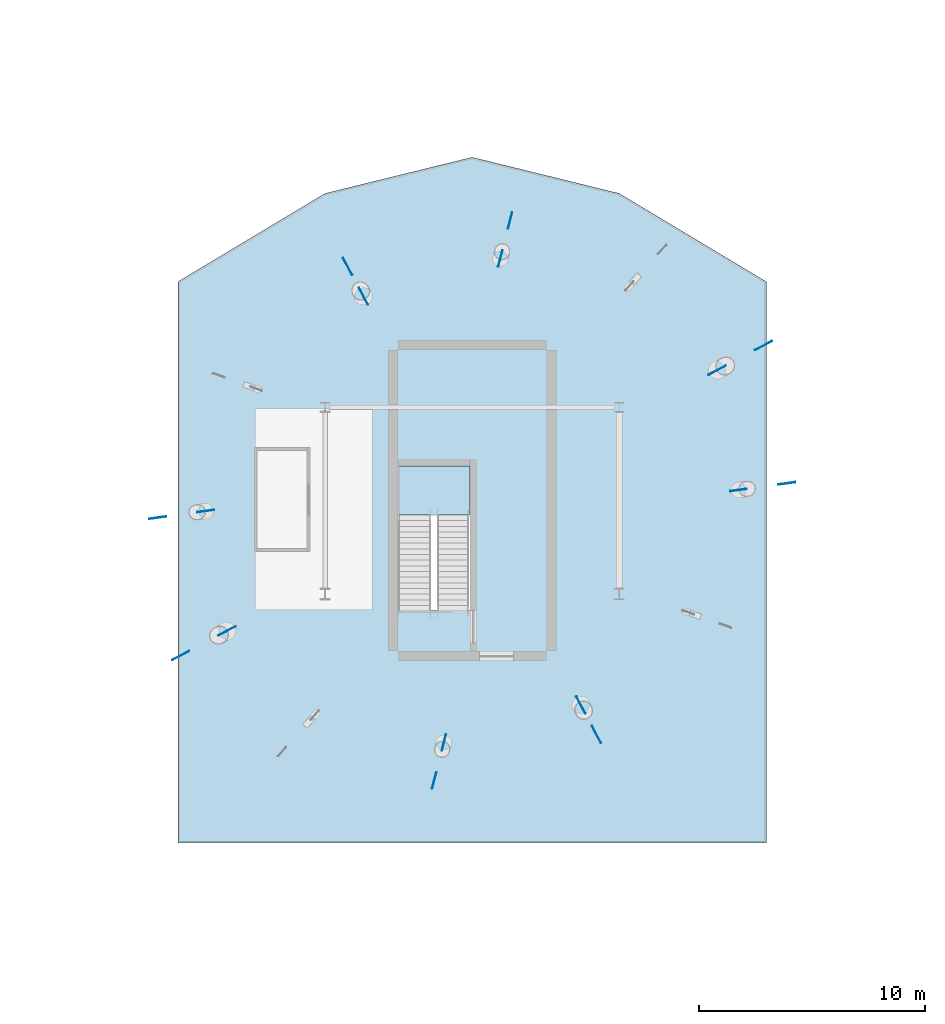
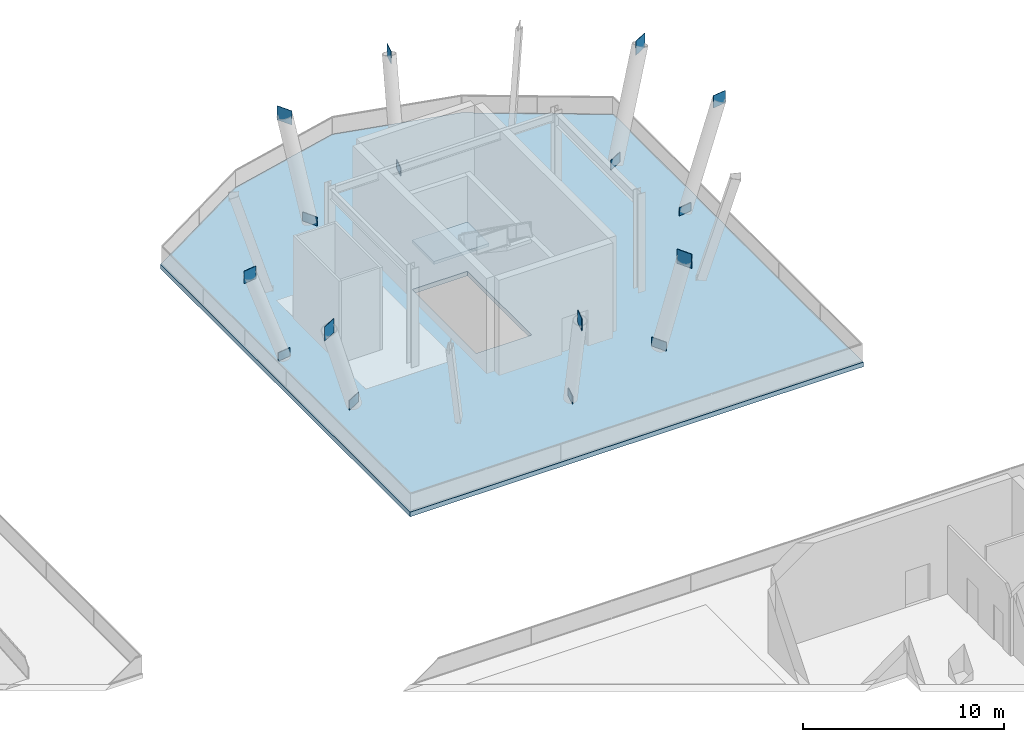
# One storey, part 31 of 73: 16 plates, 2 slabs, 1 element without a shape of its own.
"""IFC4 building model written with IfcOpenShell, lengths in metres."""

from ifc_helpers import new_model, si_unit, direction, frame, origin, origin_2d, place, context, subcontext, project, spatial, polyline, rectangle, outline, extrude, material, layer, layer_set, type_object, element, aggregate, save


model = new_model("IFC4")

# Units and contexts
model_context = context("Model", 3, precision=1e-05, world=origin(), true_north=direction((0.0, 1.0)))
body_context = subcontext(model_context, "Body", "Model", "MODEL_VIEW")
ifc_project = project(units=[si_unit("LENGTHUNIT", "METRE"), si_unit("AREAUNIT", "SQUARE_METRE"), si_unit("VOLUMEUNIT", "CUBIC_METRE"), si_unit("PLANEANGLEUNIT", "RADIAN"), si_unit("MASSUNIT", "GRAM", prefix="KILO")], contexts=[model_context])

# Site, building, storey
site_placement = place(None, origin())
site = spatial("IfcSite", under=ifc_project, at=site_placement, CompositionType="ELEMENT")
building_placement = place(site_placement, origin())
building = spatial("IfcBuilding", under=site, at=building_placement, Name="Linyun Crest Stadium", CompositionType="ELEMENT")
storey_placement = place(building_placement, origin())
storey = spatial("IfcBuildingStorey", under=building, at=storey_placement, Name="L01", CompositionType="ELEMENT", Elevation=0.0)

# Plates
ifc_material_1 = material(Name="Steel Q420C", Category="steel")
ifc_layer_1 = layer(ifc_material_1, 0.028076171875)
ifc_layer_set_1 = layer_set([ifc_layer_1], Name="Steel Q420C")
plate_type = type_object("IfcPlateType", Name="EP03", PredefinedType="USERDEFINED", material=ifc_layer_set_1)
for number, where, z_axis, x_axis, name in (
    (1, (84.325927734375, 90.382080078125, -0.271484375), (0.0, 0.0, 1.0), (0.883029517656, 0.46931745221, 0.0), "Hollow section cap end plate EP03 399"),
    (2, (86.373046875, 91.469970703125, 5.571533203125), (0.0, 0.0, 1.0), (0.883029517656, 0.46931745221, 0.0), "Hollow section cap end plate EP03 400"),
):
    element("IfcPlate", number, at=place(storey_placement, frame(where, z_axis=z_axis, x_axis=x_axis)), inside=storey, type_object=plate_type, Name=name, ObjectType="END PLATE", PredefinedType="USERDEFINED", context=body_context, shape_type="SweptSolid", body=[
        extrude(rectangle(XDim=0.85302734375, YDim=0.028076171875, at=origin_2d()), origin(), (0.0, 0.0, 1.0), 0.85302734375),
    ])
for number, where, z_axis, x_axis, name in (
    (3, (74.7470703125, 95.318115234375, -0.26953125), (0.0, 0.0, 1.0), (0.246322451985, 0.96918793309, 0.0), "Hollow section cap end plate EP03 409"),
    (4, (75.175048828125, 97.001953125, 5.62255859375), (0.0, 0.0, 1.0), (0.246322451985, 0.96918793309, 0.0), "Hollow section cap end plate EP03 410"),
):
    element("IfcPlate", number, at=place(storey_placement, frame(where, z_axis=z_axis, x_axis=x_axis)), inside=storey, type_object=plate_type, Name=name, ObjectType="END PLATE", PredefinedType="USERDEFINED", context=body_context, shape_type="SweptSolid", body=[
        extrude(rectangle(XDim=0.7509765625, YDim=0.028076171875, at=origin_2d()), origin(), (0.0, 0.0, 1.0), 0.7509765625),
    ])
for number, where, z_axis, x_axis, name in (
    (5, (68.698974609375, 93.654052734375, -0.322509765625), (0.0, 0.0, 1.0), (-0.469471562786, 0.882947592859, 0.0), "Hollow section cap end plate EP03 414"),
    (6, (68.001953125, 94.965087890625, 5.571533203125), (0.0, 0.0, 1.0), (-0.469471562786, 0.882947592859, 0.0), "Hollow section cap end plate EP03 415"),
):
    element("IfcPlate", number, at=place(storey_placement, frame(where, z_axis=z_axis, x_axis=x_axis)), inside=storey, type_object=plate_type, Name=name, ObjectType="END PLATE", PredefinedType="USERDEFINED", context=body_context, shape_type="SweptSolid", body=[
        extrude(rectangle(XDim=0.85302734375, YDim=0.028076171875, at=origin_2d()), origin(), (0.0, 0.0, 1.0), 0.85302734375),
    ])
for number, where, z_axis, x_axis, name in (
    (7, (61.73095703125, 84.162109375, -0.24853515625), (0.0, 0.0, 1.0), (-0.990533436751, -0.137271667431, 0.0), "Hollow section cap end plate EP03 424"),
    (8, (59.60302734375, 83.866943359375, 5.62255859375), (0.0, 0.0, 1.0), (-0.990533436751, -0.137271667431, 0.0), "Hollow section cap end plate EP03 425"),
):
    element("IfcPlate", number, at=place(storey_placement, frame(where, z_axis=z_axis, x_axis=x_axis)), inside=storey, type_object=plate_type, Name=name, ObjectType="END PLATE", PredefinedType="USERDEFINED", context=body_context, shape_type="SweptSolid", body=[
        extrude(rectangle(XDim=0.7509765625, YDim=0.028076171875, at=origin_2d()), origin(), (0.0, 0.0, 1.0), 0.7509765625),
    ])
for number, where, z_axis, x_axis, name in (
    (9, (62.674072265625, 78.867919921875, -0.271484375), (0.0, 0.0, 1.0), (-0.883029517656, -0.46931745221, 0.0), "Hollow section cap end plate EP03 429"),
    (10, (60.626953125, 77.780029296875, 5.571533203125), (0.0, 0.0, 1.0), (-0.883029517656, -0.46931745221, 0.0), "Hollow section cap end plate EP03 430"),
):
    element("IfcPlate", number, at=place(storey_placement, frame(where, z_axis=z_axis, x_axis=x_axis)), inside=storey, type_object=plate_type, Name=name, ObjectType="END PLATE", PredefinedType="USERDEFINED", context=body_context, shape_type="SweptSolid", body=[
        extrude(rectangle(XDim=0.85302734375, YDim=0.028076171875, at=origin_2d()), origin(), (0.0, 0.0, 1.0), 0.85302734375),
    ])
for number, where, z_axis, x_axis, name in (
    (11, (72.2529296875, 73.931884765625, -0.26953125), (0.0, 0.0, 1.0), (-0.246322451985, -0.96918793309, 0.0), "Hollow section cap end plate EP03 439"),
    (12, (71.824951171875, 72.248046875, 5.62255859375), (0.0, 0.0, 1.0), (-0.246322451985, -0.96918793309, 0.0), "Hollow section cap end plate EP03 440"),
):
    element("IfcPlate", number, at=place(storey_placement, frame(where, z_axis=z_axis, x_axis=x_axis)), inside=storey, type_object=plate_type, Name=name, ObjectType="END PLATE", PredefinedType="USERDEFINED", context=body_context, shape_type="SweptSolid", body=[
        extrude(rectangle(XDim=0.7509765625, YDim=0.028076171875, at=origin_2d()), origin(), (0.0, 0.0, 1.0), 0.7509765625),
    ])
for number, where, z_axis, x_axis, name in (
    (13, (78.301025390625, 75.595947265625, -0.322509765625), (0.0, 0.0, 1.0), (0.469471562786, -0.882947592859, 0.0), "Hollow section cap end plate EP03 444"),
    (14, (78.998046875, 74.284912109375, 5.571533203125), (0.0, 0.0, 1.0), (0.469471562786, -0.882947592859, 0.0), "Hollow section cap end plate EP03 445"),
):
    element("IfcPlate", number, at=place(storey_placement, frame(where, z_axis=z_axis, x_axis=x_axis)), inside=storey, type_object=plate_type, Name=name, ObjectType="END PLATE", PredefinedType="USERDEFINED", context=body_context, shape_type="SweptSolid", body=[
        extrude(rectangle(XDim=0.85302734375, YDim=0.028076171875, at=origin_2d()), origin(), (0.0, 0.0, 1.0), 0.85302734375),
    ])
for number, where, z_axis, x_axis, name in (
    (15, (85.26904296875, 85.087890625, -0.24853515625), (0.0, 0.0, 1.0), (0.990533436751, 0.137271667431, 0.0), "Hollow section cap end plate EP03 454"),
    (16, (87.39697265625, 85.383056640625, 5.62255859375), (0.0, 0.0, 1.0), (0.990533436751, 0.137271667431, 0.0), "Hollow section cap end plate EP03 455"),
):
    element("IfcPlate", number, at=place(storey_placement, frame(where, z_axis=z_axis, x_axis=x_axis)), inside=storey, type_object=plate_type, Name=name, ObjectType="END PLATE", PredefinedType="USERDEFINED", context=body_context, shape_type="SweptSolid", body=[
        extrude(rectangle(XDim=0.7509765625, YDim=0.028076171875, at=origin_2d()), origin(), (0.0, 0.0, 1.0), 0.7509765625),
    ])

# Slab
ifc_material_2 = material(Name="Concrete C40", Category="concrete")
ifc_layer_2 = layer(ifc_material_2, 0.280029296875)
ifc_layer_set_2 = layer_set([ifc_layer_2], Name="Concrete C40")
slab_type_1 = type_object("IfcSlabType", Name="FS05", PredefinedType="FLOOR", material=ifc_layer_set_2)
slab_1_placement = place(storey_placement, frame((0.0, 0.0, -0.280029296875)))
element("IfcSlab", 17, at=slab_1_placement, inside=storey, type_object=slab_type_1, Name="Slab FS05 V5 L01 55", PredefinedType="FLOOR", context=body_context, shape_type="SweptSolid", body=[
    extrude(outline(polyline([(60.5, 69.5), (86.5, 69.5), (86.5, 94.300048828125), (80.0, 98.199951171875), (73.5, 99.800048828125), (67.0, 98.199951171875), (60.5, 94.300048828125), (60.5, 69.5)]), holes=[polyline([(70.22509765625, 79.77001953125), (70.22509765625, 86.14990234375), (73.39990234375, 86.14990234375), (73.39990234375, 79.77001953125), (70.22509765625, 79.77001953125)])]), origin(), (0.0, 0.0, 1.0), 0.280029296875),
])

# Stair, slab
ifc_material_3 = material(Name="Concrete C40", Category="concrete")
stair_type = type_object("IfcStairType", Name="STA01", PredefinedType="HALF_TURN_STAIR", material=ifc_material_3)
stair_placement = place(storey_placement, origin())
stair = element("IfcStair", 18, at=stair_placement, inside=storey, type_object=stair_type, Name="Evacuation stair STR-12-L01", PredefinedType="HALF_TURN_STAIR")
ifc_material_4 = material(Name="Concrete C40", Category="concrete")
ifc_layer_3 = layer(ifc_material_4, 0.179931640625)
ifc_layer_set_3 = layer_set([ifc_layer_3], Name="Concrete C40")
slab_type_2 = type_object("IfcSlabType", Name="LS01", PredefinedType="LANDING", material=ifc_layer_set_3)
slab_2_placement = place(storey_placement, frame((0.0, 0.0, 2.820068359375)))
slab_2 = element("IfcSlab", 19, at=slab_2_placement, type_object=slab_type_2, Name="STR-12-L01 half-landing", PredefinedType="LANDING", context=body_context, shape_type="SweptSolid", body=[
    extrude(outline(polyline([(70.22509765625, 83.989990234375), (73.39990234375, 83.989990234375), (73.39990234375, 86.14990234375), (70.22509765625, 86.14990234375), (70.22509765625, 83.989990234375)])), origin(), (0.0, 0.0, 1.0), 0.179931640625),
])
aggregate(stair, [slab_2])

save(model, "model.ifc")
